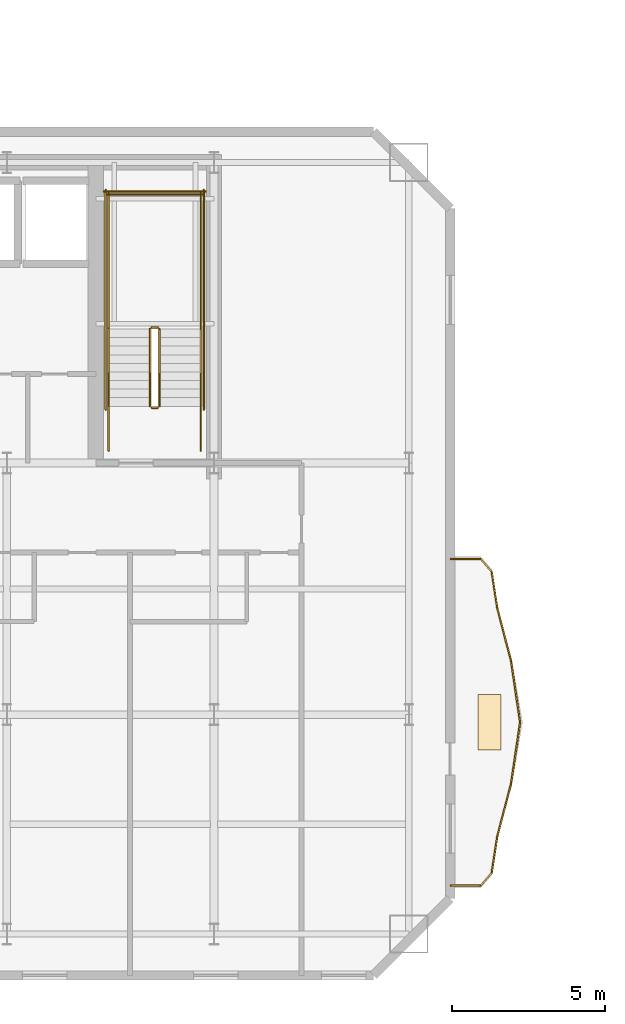
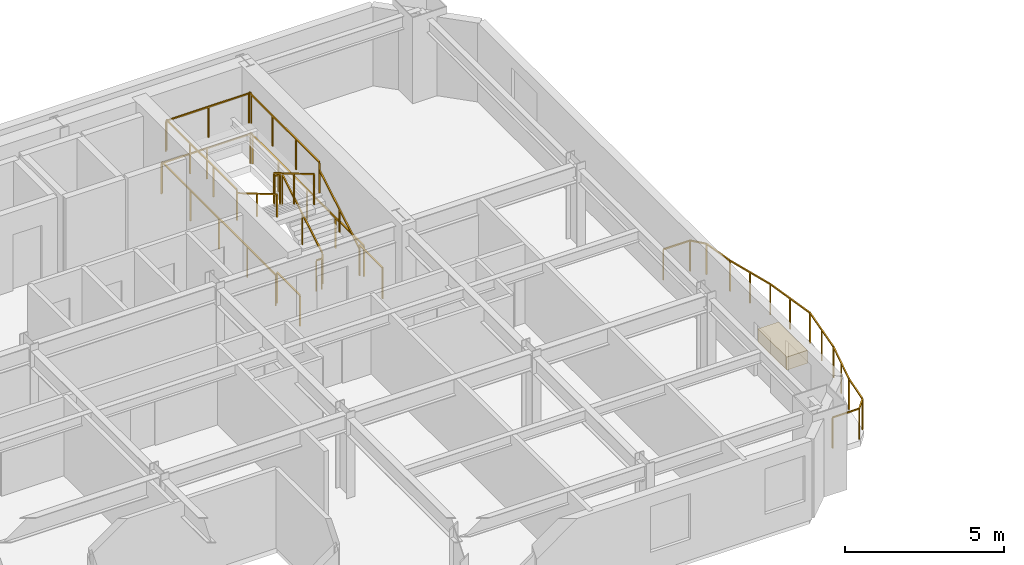
# One storey, part 11 of 13: 24 railings, 1 covering.
"""IFC4 building model written with IfcOpenShell, lengths in metres."""

import ifcopenshell
import ifcopenshell.guid

model = None  # the IFC model being written
_history = None  # IfcOwnerHistory: only IFC2X3 demands one
_inside = {}  # id of a spatial element -> (the spatial element, [elements in it])
_under = {}  # id of a project, library or spatial element -> (it, [spatial elements below it])
_declared = {}  # id of a project -> (the project, [libraries it declares])
_typed = {}  # id of a type object -> (the type object, [elements of that type])
_made_of = {}  # id of a material, layer set ... -> (it, [elements and type objects made of it])


def new_model(schema):
    """Start an empty IFC model of exactly this schema.

    Asked for "IFC4X3", IfcOpenShell would pick the latest addendum, in which some entities
    have other attributes; the version numbers below select the first issue.
    IFC2X3 requires an IfcOwnerHistory on every rooted entity: one is made here for all.
    """
    global model, _history
    if schema == "IFC4X3":
        model = ifcopenshell.file(schema_version=(4, 3, 0, 0))
    else:
        model = ifcopenshell.file(schema=schema)
    _inside.clear()
    _under.clear()
    _declared.clear()
    _typed.clear()
    _made_of.clear()
    _history = None
    if model.schema == "IFC2X3":
        org = make("IfcOrganization", Name="unknown")
        user = make(
            "IfcPersonAndOrganization",
            ThePerson=make("IfcPerson", FamilyName="unknown"),
            TheOrganization=org,
        )
        app = make(
            "IfcApplication",
            ApplicationDeveloper=org,
            Version="unknown",
            ApplicationFullName="unknown",
            ApplicationIdentifier="unknown",
        )
        _history = make(
            "IfcOwnerHistory",
            OwningUser=user,
            OwningApplication=app,
            ChangeAction="ADDED",
            CreationDate=0,
        )
    return model


def make(cls, **values):
    """One entity of the class cls with the attributes given. An attribute that is None is left unset."""
    return model.create_entity(
        cls, **{name: value for name, value in values.items() if value is not None}
    )


def rooted(cls, **values):
    """An entity with a GlobalId (a new one), such as an element, a storey or a relation."""
    return make(cls, GlobalId=ifcopenshell.guid.new(), OwnerHistory=_history, **values)


def si_unit(unit_type, name, prefix=None):
    """IfcSIUnit, for example si_unit("LENGTHUNIT", "METRE", prefix="MILLI")."""
    return make("IfcSIUnit", UnitType=unit_type, Prefix=prefix, Name=name)


def assignment(units):
    """IfcUnitAssignment: the units of a project."""
    return None if units is None else make("IfcUnitAssignment", Units=units)


def point(xyz):
    """IfcCartesianPoint."""
    return None if xyz is None else make("IfcCartesianPoint", Coordinates=xyz)


def direction(xyz):
    """IfcDirection."""
    return None if xyz is None else make("IfcDirection", DirectionRatios=xyz)


def frame(location, z_axis=None, x_axis=None):
    """IfcAxis2Placement3D, a coordinate frame: its origin and axes. An axis left out is left unset."""
    return make(
        "IfcAxis2Placement3D",
        Location=point(location),
        Axis=direction(z_axis),
        RefDirection=direction(x_axis),
    )


def frame_2d(location, x_axis=None):
    """IfcAxis2Placement2D, a coordinate frame in the plane: its origin and x axis."""
    return make(
        "IfcAxis2Placement2D", Location=point(location), RefDirection=direction(x_axis)
    )


def origin():
    """The frame at (0, 0, 0) with its axes left unset."""
    return frame((0.0, 0.0, 0.0))


def origin_2d():
    """The frame at (0, 0) in the plane with its x axis left unset."""
    return frame_2d((0.0, 0.0))


def place(relative_to, where):
    """IfcLocalPlacement: puts the frame where relative to a parent placement (None: the world)."""
    return make(
        "IfcLocalPlacement", PlacementRelTo=relative_to, RelativePlacement=where
    )


def context(
    kind, dimensions, precision=None, world=None, true_north=None, identifier=None
):
    """IfcGeometricRepresentationContext, for example the 3D "Model" context."""
    return make(
        "IfcGeometricRepresentationContext",
        ContextIdentifier=identifier,
        ContextType=kind,
        CoordinateSpaceDimension=dimensions,
        Precision=precision,
        WorldCoordinateSystem=world,
        TrueNorth=true_north,
    )


def subcontext(parent, identifier, kind, view, scale=None):
    """IfcGeometricRepresentationSubContext, for example "Body" below "Model"."""
    return make(
        "IfcGeometricRepresentationSubContext",
        ContextIdentifier=identifier,
        ContextType=kind,
        ParentContext=parent,
        TargetScale=scale,
        TargetView=view,
    )


def project(units=None, contexts=None):
    """IfcProject with its units and contexts."""
    return rooted(
        "IfcProject",
        Name="project",
        RepresentationContexts=contexts,
        UnitsInContext=assignment(units),
    )


def spatial(cls, under=None, at=None, **own):
    """A site, building, storey or space (cls), placed at a placement, below another one or the project."""
    s = rooted(cls, ObjectPlacement=at, **own)
    if under is not None:
        _under.setdefault(under.id(), (under, []))[1].append(s)
    return s


def profile(cls, at=None, kind="AREA", **sizes):
    """A parametric profile (cls). Its sizes go by their IFC names, for example OverallWidth=200.0."""
    return make(cls, ProfileType=kind, Position=at, **sizes)


def rectangle(**sizes):
    """IfcRectangleProfileDef."""
    return profile("IfcRectangleProfileDef", **sizes)


def extrude(swept, where, along, depth):
    """IfcExtrudedAreaSolid: the profile swept, set in the frame where, extruded along a direction by depth."""
    return make(
        "IfcExtrudedAreaSolid",
        SweptArea=swept,
        Position=where,
        ExtrudedDirection=direction(along),
        Depth=depth,
    )


def shape(context_of_items, identifier, shape_type, items):
    """IfcShapeRepresentation: the items that make up one representation, for example the "Body"."""
    return make(
        "IfcShapeRepresentation",
        ContextOfItems=context_of_items,
        RepresentationIdentifier=identifier,
        RepresentationType=shape_type,
        Items=items,
    )


def material(Name=None, Category=None):
    """IfcMaterial."""
    return make("IfcMaterial", Name=Name, Category=Category)


def layer(
    of_material, thickness, ventilated=None, Name=None, Category=None, Priority=None
):
    """IfcMaterialLayer: one layer of a wall or slab, of a material (None: an air gap)."""
    return make(
        "IfcMaterialLayer",
        Material=of_material,
        LayerThickness=thickness,
        IsVentilated=ventilated,
        Name=Name,
        Category=Category,
        Priority=Priority,
    )


def layer_set(layers, Name=None):
    """IfcMaterialLayerSet."""
    return make("IfcMaterialLayerSet", MaterialLayers=layers, LayerSetName=Name)


def made_of(thing, what):
    """Note that an element or type object is made of a material, layer set ...; save() writes the relation."""
    if what is not None:
        _made_of.setdefault(what.id(), (what, []))[1].append(thing)
    return thing


def type_object(cls, material=None, **own):
    """A type object (cls), such as IfcWallType, which elements share."""
    return made_of(rooted(cls, **own), material)


def element(
    cls,
    number,
    at=None,
    inside=None,
    cuts=None,
    type_object=None,
    material=None,
    context=None,
    identifier="Body",
    shape_type=None,
    held_by="IfcProductDefinitionShape",
    body=None,
    shapes=None,
    **own,
):
    """One element of the class cls, such as IfcWall. Its Tag is "e" and its number.

    at: its placement. inside: the storey or other place that contains it. cuts: it is an
    opening in that element (IfcRelVoidsElement). A single representation is given by context,
    identifier, shape_type and body (its items); several are given by shapes. held_by: the class
    of the entity that holds the representations. save() writes the other relations.
    """
    e = rooted(cls, Tag="e%d" % number, ObjectPlacement=at, **own)
    if body is not None:
        shapes = [shape(context, identifier, shape_type, body)]
    if shapes is not None:
        e.Representation = make(held_by, Representations=shapes)
    if inside is not None:
        _inside.setdefault(inside.id(), (inside, []))[1].append(e)
    if cuts is not None:
        rooted(
            "IfcRelVoidsElement", RelatingBuildingElement=cuts, RelatedOpeningElement=e
        )
    if type_object is not None:
        _typed.setdefault(type_object.id(), (type_object, []))[1].append(e)
    return made_of(e, material)


def aggregate(whole, parts):
    """IfcRelAggregates: a whole, such as a stair, and the parts it consists of."""
    return rooted("IfcRelAggregates", RelatingObject=whole, RelatedObjects=parts)


def save(model, path):
    """Write the relations noted so far, then the file.

    IfcRelAggregates (storeys below a building ...), IfcRelContainedInSpatialStructure (elements
    in a storey), IfcRelDefinesByType, IfcRelAssociatesMaterial and IfcRelDeclares: one each for
    every whole, place, type object, material and project.
    """
    for whole, parts in _under.values():
        aggregate(whole, parts)
    for where, things in _inside.values():
        rooted(
            "IfcRelContainedInSpatialStructure",
            RelatedElements=things,
            RelatingStructure=where,
        )
    for kind, things in _typed.values():
        rooted("IfcRelDefinesByType", RelatedObjects=things, RelatingType=kind)
    for what, things in _made_of.values():
        rooted("IfcRelAssociatesMaterial", RelatedObjects=things, RelatingMaterial=what)
    for by, libraries in _declared.values():
        rooted("IfcRelDeclares", RelatingContext=by, RelatedDefinitions=libraries)
    model.write(path)


model = new_model("IFC4")

# Units and contexts
model_context = context("Model", 3, precision=1e-05, world=origin(), true_north=direction((0.0, 1.0)))
body_context = subcontext(model_context, "Body", "Model", "MODEL_VIEW")
ifc_project = project(units=[si_unit("LENGTHUNIT", "METRE"), si_unit("AREAUNIT", "SQUARE_METRE"), si_unit("VOLUMEUNIT", "CUBIC_METRE"), si_unit("PLANEANGLEUNIT", "RADIAN"), si_unit("MASSUNIT", "GRAM", prefix="KILO")], contexts=[model_context])

# Site, building, storey
site_placement = place(None, origin())
site = spatial("IfcSite", under=ifc_project, at=site_placement, CompositionType="ELEMENT")
building_placement = place(site_placement, origin())
building = spatial("IfcBuilding", under=site, at=building_placement, Name="Haevon Station Towers", CompositionType="ELEMENT")
storey_placement = place(building_placement, frame((0.0, 0.0, 142.800048828125)))
storey = spatial("IfcBuildingStorey", under=building, at=storey_placement, Name="L38", CompositionType="ELEMENT", Elevation=142.800048828125)

# Railings
ifc_material_1 = material(Name="Steel S355", Category="steel")
railing_type_1 = type_object("IfcRailingType", Name="GRD-EXT1200", PredefinedType="GUARDRAIL", material=ifc_material_1)
railing_1_placement = place(storey_placement, frame((58.723388671875, 24.427734375, 0.0)))
element("IfcRailing", 1, at=railing_1_placement, inside=storey, type_object=railing_type_1, Name="L38 Perimeter Guardrail 1", PredefinedType="GUARDRAIL", context=body_context, shape_type="SweptSolid", body=[
    extrude(rectangle(XDim=0.048095703125, YDim=0.048095703125, at=origin_2d()), frame((0.0, 0.0, 1.17578125), z_axis=(0.999997458604, 0.002254503288, 0.0), x_axis=(-0.002254503288, 0.999997458604, 0.0)), (0.0, 0.0, 1.0), 0.974609375),
    extrude(rectangle(XDim=0.0419921875, YDim=0.0419921875, at=origin_2d()), origin(), (0.0, 0.0, 1.0), 1.15185546875),
    extrude(rectangle(XDim=0.0419921875, YDim=0.0419921875, at=origin_2d()), frame((0.974609375, 0.002197265625, 0.0)), (0.0, 0.0, 1.0), 1.15185546875),
])
railing_2_placement = place(storey_placement, frame((59.697998046875, 24.429931640625, 0.0)))
element("IfcRailing", 2, at=railing_2_placement, inside=storey, type_object=railing_type_1, Name="L38 Perimeter Guardrail 2", PredefinedType="GUARDRAIL", context=body_context, shape_type="SweptSolid", body=[
    extrude(rectangle(XDim=0.048095703125, YDim=0.048095703125, at=origin_2d()), frame((0.0, 0.0, 1.17578125), z_axis=(0.652494424459, 0.757793524682, 0.0), x_axis=(-0.757793524682, 0.652494424459, 0.0)), (0.0, 0.0, 1.0), 0.54248046875),
    extrude(rectangle(XDim=0.0419921875, YDim=0.0419921875, at=origin_2d()), origin(), (0.0, 0.0, 1.0), 1.15185546875),
    extrude(rectangle(XDim=0.0419921875, YDim=0.0419921875, at=origin_2d()), frame((0.35400390625, 0.4111328125, 0.0)), (0.0, 0.0, 1.0), 1.15185546875),
])
railing_3_placement = place(storey_placement, frame((60.052001953125, 24.841064453125, 0.0)))
element("IfcRailing", 3, at=railing_3_placement, inside=storey, type_object=railing_type_1, Name="L38 Perimeter Guardrail 3", PredefinedType="GUARDRAIL", context=body_context, shape_type="SweptSolid", body=[
    extrude(rectangle(XDim=0.048095703125, YDim=0.048095703125, at=origin_2d()), frame((0.0, 0.0, 1.17578125), z_axis=(0.152351520167, 0.988326370337, 0.0), x_axis=(-0.988326370337, 0.152351520167, 0.0)), (0.0, 0.0, 1.0), 1.184326171875),
    extrude(rectangle(XDim=0.0419921875, YDim=0.0419921875, at=origin_2d()), origin(), (0.0, 0.0, 1.0), 1.15185546875),
    extrude(rectangle(XDim=0.0419921875, YDim=0.0419921875, at=origin_2d()), frame((0.180419921875, 1.17041015625, 0.0)), (0.0, 0.0, 1.0), 1.15185546875),
])
railing_4_placement = place(storey_placement, frame((60.232421875, 26.011474609375, 0.0)))
element("IfcRailing", 4, at=railing_4_placement, inside=storey, type_object=railing_type_1, Name="L38 Perimeter Guardrail 4", PredefinedType="GUARDRAIL", context=body_context, shape_type="SweptSolid", body=[
    extrude(rectangle(XDim=0.048095703125, YDim=0.048095703125, at=origin_2d()), frame((0.0, 0.0, 1.17578125), z_axis=(0.25111702381, 0.967956734752, 0.0), x_axis=(-0.967956734752, 0.25111702381, 0.0)), (0.0, 0.0, 1.0), 1.805419921875),
    extrude(rectangle(XDim=0.0419921875, YDim=0.0419921875, at=origin_2d()), origin(), (0.0, 0.0, 1.0), 1.15185546875),
    extrude(rectangle(XDim=0.0419921875, YDim=0.0419921875, at=origin_2d()), frame((0.2265625, 0.873779296875, 0.0)), (0.0, 0.0, 1.0), 1.15185546875),
    extrude(rectangle(XDim=0.0419921875, YDim=0.0419921875, at=origin_2d()), frame((0.453369140625, 1.74755859375, 0.0)), (0.0, 0.0, 1.0), 1.15185546875),
])
railing_5_placement = place(storey_placement, frame((60.685791015625, 27.759033203125, 0.0)))
element("IfcRailing", 5, at=railing_5_placement, inside=storey, type_object=railing_type_1, Name="L38 Perimeter Guardrail 5", PredefinedType="GUARDRAIL", context=body_context, shape_type="SweptSolid", body=[
    extrude(rectangle(XDim=0.048095703125, YDim=0.048095703125, at=origin_2d()), frame((0.0, 0.0, 1.17578125), z_axis=(0.14558130584, 0.989346290937, 0.0), x_axis=(-0.989346290937, 0.14558130584, 0.0)), (0.0, 0.0, 1.0), 2.012451171875),
    extrude(rectangle(XDim=0.0419921875, YDim=0.0419921875, at=origin_2d()), origin(), (0.0, 0.0, 1.0), 1.15185546875),
    extrude(rectangle(XDim=0.0419921875, YDim=0.0419921875, at=origin_2d()), frame((0.146484375, 0.99560546875, 0.0)), (0.0, 0.0, 1.0), 1.15185546875),
    extrude(rectangle(XDim=0.0419921875, YDim=0.0419921875, at=origin_2d()), frame((0.29296875, 1.990966796875, 0.0)), (0.0, 0.0, 1.0), 1.15185546875),
])
railing_6_placement = place(storey_placement, frame((60.978759765625, 29.75, 0.0)))
element("IfcRailing", 6, at=railing_6_placement, inside=storey, type_object=railing_type_1, Name="L38 Perimeter Guardrail 6", PredefinedType="GUARDRAIL", context=body_context, shape_type="SweptSolid", body=[
    extrude(rectangle(XDim=0.048095703125, YDim=0.048095703125, at=origin_2d()), frame((0.0, 0.0, 1.17578125), z_axis=(-0.14558130584, 0.989346290937, 0.0), x_axis=(-0.989346290937, -0.14558130584, 0.0)), (0.0, 0.0, 1.0), 2.012451171875),
    extrude(rectangle(XDim=0.0419921875, YDim=0.0419921875, at=origin_2d()), origin(), (0.0, 0.0, 1.0), 1.15185546875),
    extrude(rectangle(XDim=0.0419921875, YDim=0.0419921875, at=origin_2d()), frame((-0.146484375, 0.99560546875, 0.0)), (0.0, 0.0, 1.0), 1.15185546875),
    extrude(rectangle(XDim=0.0419921875, YDim=0.0419921875, at=origin_2d()), frame((-0.29296875, 1.990966796875, 0.0)), (0.0, 0.0, 1.0), 1.15185546875),
])
railing_7_placement = place(storey_placement, frame((60.685791015625, 31.740966796875, 0.0)))
element("IfcRailing", 7, at=railing_7_placement, inside=storey, type_object=railing_type_1, Name="L38 Perimeter Guardrail 7", PredefinedType="GUARDRAIL", context=body_context, shape_type="SweptSolid", body=[
    extrude(rectangle(XDim=0.048095703125, YDim=0.048095703125, at=origin_2d()), frame((0.0, 0.0, 1.17578125), z_axis=(-0.25111702381, 0.967956734752, 0.0), x_axis=(-0.967956734752, -0.25111702381, 0.0)), (0.0, 0.0, 1.0), 1.805419921875),
    extrude(rectangle(XDim=0.0419921875, YDim=0.0419921875, at=origin_2d()), origin(), (0.0, 0.0, 1.0), 1.15185546875),
    extrude(rectangle(XDim=0.0419921875, YDim=0.0419921875, at=origin_2d()), frame((-0.2265625, 0.873779296875, 0.0)), (0.0, 0.0, 1.0), 1.15185546875),
    extrude(rectangle(XDim=0.0419921875, YDim=0.0419921875, at=origin_2d()), frame((-0.453369140625, 1.74755859375, 0.0)), (0.0, 0.0, 1.0), 1.15185546875),
])
railing_8_placement = place(storey_placement, frame((60.232421875, 33.488525390625, 0.0)))
element("IfcRailing", 8, at=railing_8_placement, inside=storey, type_object=railing_type_1, Name="L38 Perimeter Guardrail 8", PredefinedType="GUARDRAIL", context=body_context, shape_type="SweptSolid", body=[
    extrude(rectangle(XDim=0.048095703125, YDim=0.048095703125, at=origin_2d()), frame((0.0, 0.0, 1.17578125), z_axis=(-0.152351520167, 0.988326370337, 0.0), x_axis=(-0.988326370337, -0.152351520167, 0.0)), (0.0, 0.0, 1.0), 1.184326171875),
    extrude(rectangle(XDim=0.0419921875, YDim=0.0419921875, at=origin_2d()), origin(), (0.0, 0.0, 1.0), 1.15185546875),
    extrude(rectangle(XDim=0.0419921875, YDim=0.0419921875, at=origin_2d()), frame((-0.180419921875, 1.17041015625, 0.0)), (0.0, 0.0, 1.0), 1.15185546875),
])
railing_9_placement = place(storey_placement, frame((60.052001953125, 34.658935546875, 0.0)))
element("IfcRailing", 9, at=railing_9_placement, inside=storey, type_object=railing_type_1, Name="L38 Perimeter Guardrail 9", PredefinedType="GUARDRAIL", context=body_context, shape_type="SweptSolid", body=[
    extrude(rectangle(XDim=0.048095703125, YDim=0.048095703125, at=origin_2d()), frame((0.0, 0.0, 1.17578125), z_axis=(-0.652494424459, 0.757793524682, 0.0), x_axis=(-0.757793524682, -0.652494424459, 0.0)), (0.0, 0.0, 1.0), 0.54248046875),
    extrude(rectangle(XDim=0.0419921875, YDim=0.0419921875, at=origin_2d()), origin(), (0.0, 0.0, 1.0), 1.15185546875),
    extrude(rectangle(XDim=0.0419921875, YDim=0.0419921875, at=origin_2d()), frame((-0.35400390625, 0.4111328125, 0.0)), (0.0, 0.0, 1.0), 1.15185546875),
])
railing_10_placement = place(storey_placement, frame((59.697998046875, 35.070068359375, 0.0)))
element("IfcRailing", 10, at=railing_10_placement, inside=storey, type_object=railing_type_1, Name="L38 Perimeter Guardrail 10", PredefinedType="GUARDRAIL", context=body_context, shape_type="SweptSolid", body=[
    extrude(rectangle(XDim=0.048095703125, YDim=0.048095703125, at=origin_2d()), frame((0.0, 0.0, 1.17578125), z_axis=(-0.999997458604, 0.002254503288, 0.0), x_axis=(-0.002254503288, -0.999997458604, 0.0)), (0.0, 0.0, 1.0), 0.974609375),
    extrude(rectangle(XDim=0.0419921875, YDim=0.0419921875, at=origin_2d()), origin(), (0.0, 0.0, 1.0), 1.15185546875),
    extrude(rectangle(XDim=0.0419921875, YDim=0.0419921875, at=origin_2d()), frame((-0.974609375, 0.002197265625, 0.0)), (0.0, 0.0, 1.0), 1.15185546875),
])
railing_type_2 = type_object("IfcRailingType", Name="GRD-STR1200", PredefinedType="GUARDRAIL", material=ifc_material_1)
railing_11_placement = place(storey_placement, frame((49.219970703125, 40.050048828125, 0.1650390625)))
element("IfcRailing", 11, at=railing_11_placement, inside=storey, type_object=railing_type_2, Name="L38 ST2 Stair Guard 1", PredefinedType="GUARDRAIL", context=body_context, shape_type="SweptSolid", body=[
    extrude(rectangle(XDim=0.048095703125, YDim=0.048095703125, at=origin_2d()), frame((0.0, 0.0, 1.17578125), z_axis=(0.0, 0.861560626758, 0.507654692109), x_axis=(-1.0, 0.0, 0.0)), (0.0, 0.0, 1.0), 2.925048828125),
    extrude(rectangle(XDim=0.0419921875, YDim=0.0419921875, at=origin_2d()), origin(), (0.0, 0.0, 1.0), 1.15185546875),
    extrude(rectangle(XDim=0.0419921875, YDim=0.0419921875, at=origin_2d()), frame((0.0, 1.260009765625, 0.742431640625)), (0.0, 0.0, 1.0), 1.15185546875),
    extrude(rectangle(XDim=0.0419921875, YDim=0.0419921875, at=origin_2d()), frame((0.0, 2.52001953125, 1.48486328125)), (0.0, 0.0, 1.0), 1.15185546875),
])
railing_12_placement = place(storey_placement, frame((49.169921875, 42.6201171875, 1.64990234375)))
element("IfcRailing", 12, at=railing_12_placement, inside=storey, type_object=railing_type_2, Name="L38 ST2 Stair Guard 2", PredefinedType="GUARDRAIL", context=body_context, shape_type="SweptSolid", body=[
    extrude(rectangle(XDim=0.048095703125, YDim=0.048095703125, at=origin_2d()), frame((0.0, 0.0, 1.17578125), z_axis=(-1.0, 0.0, 0.0), x_axis=(0.0, -1.0, 0.0)), (0.0, 0.0, 1.0), 0.199951171875),
    extrude(rectangle(XDim=0.0419921875, YDim=0.0419921875, at=origin_2d()), origin(), (0.0, 0.0, 1.0), 1.15185546875),
    extrude(rectangle(XDim=0.0419921875, YDim=0.0419921875, at=origin_2d()), frame((-0.199951171875, 0.0, 0.0)), (0.0, 0.0, 1.0), 1.15185546875),
])
for number, where, name in (
    (13, (50.570068359375, 42.570068359375, 1.64990234375), "L38 ST2 Stair Guard 3"),
    (14, (47.570068359375, 42.570068359375, 1.64990234375), "L38 ST2 Stair Guard 4"),
):
    element("IfcRailing", number, at=place(storey_placement, frame(where)), inside=storey, type_object=railing_type_2, Name=name, PredefinedType="GUARDRAIL", context=body_context, shape_type="SweptSolid", body=[
        extrude(rectangle(XDim=0.048095703125, YDim=0.048095703125, at=origin_2d()), frame((0.0, 0.0, 1.17578125), z_axis=(0.0, 1.0, 0.0), x_axis=(-1.0, 0.0, 0.0)), (0.0, 0.0, 1.0), 4.429931640625),
        extrude(rectangle(XDim=0.0419921875, YDim=0.0419921875, at=origin_2d()), origin(), (0.0, 0.0, 1.0), 1.15185546875),
        extrude(rectangle(XDim=0.0419921875, YDim=0.0419921875, at=origin_2d()), frame((0.0, 1.4765625, 0.0)), (0.0, 0.0, 1.0), 1.15185546875),
        extrude(rectangle(XDim=0.0419921875, YDim=0.0419921875, at=origin_2d()), frame((0.0, 2.953369140625, 0.0)), (0.0, 0.0, 1.0), 1.15185546875),
        extrude(rectangle(XDim=0.0419921875, YDim=0.0419921875, at=origin_2d()), frame((0.0, 4.429931640625, 0.0)), (0.0, 0.0, 1.0), 1.15185546875),
    ])
railing_13_placement = place(storey_placement, frame((50.6201171875, 46.949951171875, 1.64990234375)))
element("IfcRailing", 15, at=railing_13_placement, inside=storey, type_object=railing_type_2, Name="L38 ST2 Stair Guard 5", PredefinedType="GUARDRAIL", context=body_context, shape_type="SweptSolid", body=[
    extrude(rectangle(XDim=0.048095703125, YDim=0.048095703125, at=origin_2d()), frame((0.0, 0.0, 1.17578125), z_axis=(-1.0, 0.0, 0.0), x_axis=(0.0, -1.0, 0.0)), (0.0, 0.0, 1.0), 3.10009765625),
    extrude(rectangle(XDim=0.0419921875, YDim=0.0419921875, at=origin_2d()), origin(), (0.0, 0.0, 1.0), 1.15185546875),
    extrude(rectangle(XDim=0.0419921875, YDim=0.0419921875, at=origin_2d()), frame((-1.550048828125, 0.0, 0.0)), (0.0, 0.0, 1.0), 1.15185546875),
    extrude(rectangle(XDim=0.0419921875, YDim=0.0419921875, at=origin_2d()), frame((-3.10009765625, 0.0, 0.0)), (0.0, 0.0, 1.0), 1.15185546875),
])
railing_14_placement = place(storey_placement, frame((48.919921875, 42.570068359375, 1.81494140625)))
element("IfcRailing", 16, at=railing_14_placement, inside=storey, type_object=railing_type_2, Name="L38 ST2 Stair Guard 6", PredefinedType="GUARDRAIL", context=body_context, shape_type="SweptSolid", body=[
    extrude(rectangle(XDim=0.048095703125, YDim=0.048095703125, at=origin_2d()), frame((0.0, 0.0, 1.17578125), z_axis=(0.0, -0.86152411907, 0.507716645641), x_axis=(1.0, 0.0, 0.0)), (0.0, 0.0, 1.0), 2.925048828125),
    extrude(rectangle(XDim=0.0419921875, YDim=0.0419921875, at=origin_2d()), origin(), (0.0, 0.0, 1.0), 1.15185546875),
    extrude(rectangle(XDim=0.0419921875, YDim=0.0419921875, at=origin_2d()), frame((0.0, -1.260009765625, 0.74267578125)), (0.0, 0.0, 1.0), 1.15185546875),
    extrude(rectangle(XDim=0.0419921875, YDim=0.0419921875, at=origin_2d()), frame((0.0, -2.52001953125, 1.485107421875)), (0.0, 0.0, 1.0), 1.15185546875),
])
railing_15_placement = place(storey_placement, frame((49.169921875, 40.0, 0.0)))
element("IfcRailing", 17, at=railing_15_placement, inside=storey, type_object=railing_type_2, Name="L38 ST2 Stair Guard 7", PredefinedType="GUARDRAIL", context=body_context, shape_type="SweptSolid", body=[
    extrude(rectangle(XDim=0.048095703125, YDim=0.048095703125, at=origin_2d()), frame((0.0, 0.0, 1.17578125), z_axis=(-1.0, 0.0, 0.0), x_axis=(0.0, -1.0, 0.0)), (0.0, 0.0, 1.0), 0.199951171875),
    extrude(rectangle(XDim=0.0419921875, YDim=0.0419921875, at=origin_2d()), origin(), (0.0, 0.0, 1.0), 1.15185546875),
    extrude(rectangle(XDim=0.0419921875, YDim=0.0419921875, at=origin_2d()), frame((-0.199951171875, 0.0, 0.0)), (0.0, 0.0, 1.0), 1.15185546875),
])
for number, where, name in (
    (18, (50.570068359375, 38.60009765625, 0.0), "L38 ST2 Stair Guard 8"),
    (19, (47.570068359375, 38.60009765625, 0.0), "L38 ST2 Stair Guard 9"),
):
    element("IfcRailing", number, at=place(storey_placement, frame(where)), inside=storey, type_object=railing_type_2, Name=name, PredefinedType="GUARDRAIL", context=body_context, shape_type="SweptSolid", body=[
        extrude(rectangle(XDim=0.048095703125, YDim=0.048095703125, at=origin_2d()), frame((0.0, 0.0, 1.17578125), z_axis=(0.0, 1.0, 0.0), x_axis=(-1.0, 0.0, 0.0)), (0.0, 0.0, 1.0), 1.449951171875),
        extrude(rectangle(XDim=0.0419921875, YDim=0.0419921875, at=origin_2d()), origin(), (0.0, 0.0, 1.0), 1.15185546875),
        extrude(rectangle(XDim=0.0419921875, YDim=0.0419921875, at=origin_2d()), frame((0.0, 1.449951171875, 0.0)), (0.0, 0.0, 1.0), 1.15185546875),
    ])
for number, where, name in (
    (20, (50.669921875, 39.949951171875, 0.0), "L38 ST2 Stair Guard 10"),
    (21, (47.469970703125, 39.949951171875, 0.0), "L38 ST2 Stair Guard 11"),
):
    element("IfcRailing", number, at=place(storey_placement, frame(where)), inside=storey, type_object=railing_type_2, Name=name, PredefinedType="GUARDRAIL", context=body_context, shape_type="SweptSolid", body=[
        extrude(rectangle(XDim=0.048095703125, YDim=0.048095703125, at=origin_2d()), frame((0.0, 0.0, 1.17578125), z_axis=(0.0, 1.0, 0.0), x_axis=(-1.0, 0.0, 0.0)), (0.0, 0.0, 1.0), 7.150146484375),
        extrude(rectangle(XDim=0.0419921875, YDim=0.0419921875, at=origin_2d()), origin(), (0.0, 0.0, 1.0), 1.15185546875),
        extrude(rectangle(XDim=0.0419921875, YDim=0.0419921875, at=origin_2d()), frame((0.0, 1.78759765625, 0.0)), (0.0, 0.0, 1.0), 1.15185546875),
        extrude(rectangle(XDim=0.0419921875, YDim=0.0419921875, at=origin_2d()), frame((0.0, 3.5751953125, 0.0)), (0.0, 0.0, 1.0), 1.15185546875),
        extrude(rectangle(XDim=0.0419921875, YDim=0.0419921875, at=origin_2d()), frame((0.0, 5.362548828125, 0.0)), (0.0, 0.0, 1.0), 1.15185546875),
        extrude(rectangle(XDim=0.0419921875, YDim=0.0419921875, at=origin_2d()), frame((0.0, 7.150146484375, 0.0)), (0.0, 0.0, 1.0), 1.15185546875),
    ])
railing_16_placement = place(storey_placement, frame((50.719970703125, 47.050048828125, 0.0)))
element("IfcRailing", 22, at=railing_16_placement, inside=storey, type_object=railing_type_2, Name="L38 ST2 Stair Guard 12", PredefinedType="GUARDRAIL", context=body_context, shape_type="SweptSolid", body=[
    extrude(rectangle(XDim=0.048095703125, YDim=0.048095703125, at=origin_2d()), frame((0.0, 0.0, 1.17578125), z_axis=(-1.0, 0.0, 0.0), x_axis=(0.0, -1.0, 0.0)), (0.0, 0.0, 1.0), 3.300048828125),
    extrude(rectangle(XDim=0.0419921875, YDim=0.0419921875, at=origin_2d()), origin(), (0.0, 0.0, 1.0), 1.15185546875),
    extrude(rectangle(XDim=0.0419921875, YDim=0.0419921875, at=origin_2d()), frame((-1.64990234375, 0.0, 0.0)), (0.0, 0.0, 1.0), 1.15185546875),
    extrude(rectangle(XDim=0.0419921875, YDim=0.0419921875, at=origin_2d()), frame((-3.300048828125, 0.0, 0.0)), (0.0, 0.0, 1.0), 1.15185546875),
])
railing_type_3 = type_object("IfcRailingType", Name="HND-STR900", PredefinedType="HANDRAIL", material=ifc_material_1)
railing_17_placement = place(storey_placement, frame((50.570068359375, 40.050048828125, 0.1650390625)))
element("IfcRailing", 23, at=railing_17_placement, inside=storey, type_object=railing_type_3, Name="L38 ST2 Stair Handrail 1", PredefinedType="HANDRAIL", context=body_context, shape_type="SweptSolid", body=[
    extrude(rectangle(XDim=0.048095703125, YDim=0.048095703125, at=origin_2d()), frame((0.0, 0.0, 0.8759765625), z_axis=(0.0, 0.861560626758, 0.507654692109), x_axis=(-1.0, 0.0, 0.0)), (0.0, 0.0, 1.0), 2.925048828125),
    extrude(rectangle(XDim=0.0419921875, YDim=0.0419921875, at=origin_2d()), origin(), (0.0, 0.0, 1.0), 0.851806640625),
    extrude(rectangle(XDim=0.0419921875, YDim=0.0419921875, at=origin_2d()), frame((0.0, 1.260009765625, 0.742431640625)), (0.0, 0.0, 1.0), 0.851806640625),
    extrude(rectangle(XDim=0.0419921875, YDim=0.0419921875, at=origin_2d()), frame((0.0, 2.52001953125, 1.48486328125)), (0.0, 0.0, 1.0), 0.851806640625),
])
railing_18_placement = place(storey_placement, frame((47.570068359375, 42.570068359375, 1.81494140625)))
element("IfcRailing", 24, at=railing_18_placement, inside=storey, type_object=railing_type_3, Name="L38 ST2 Stair Handrail 2", PredefinedType="HANDRAIL", context=body_context, shape_type="SweptSolid", body=[
    extrude(rectangle(XDim=0.048095703125, YDim=0.048095703125, at=origin_2d()), frame((0.0, 0.0, 0.8759765625), z_axis=(0.0, -0.86152411907, 0.507716645641), x_axis=(1.0, 0.0, 0.0)), (0.0, 0.0, 1.0), 2.925048828125),
    extrude(rectangle(XDim=0.0419921875, YDim=0.0419921875, at=origin_2d()), origin(), (0.0, 0.0, 1.0), 0.851806640625),
    extrude(rectangle(XDim=0.0419921875, YDim=0.0419921875, at=origin_2d()), frame((0.0, -1.260009765625, 0.74267578125)), (0.0, 0.0, 1.0), 0.851806640625),
    extrude(rectangle(XDim=0.0419921875, YDim=0.0419921875, at=origin_2d()), frame((0.0, -2.52001953125, 1.485107421875)), (0.0, 0.0, 1.0), 0.851806640625),
])

# Covering
ifc_material_2 = material(Name="Architectural planter GRC", Category="concrete")
ifc_layer = layer(ifc_material_2, 0.550048828125)
ifc_layer_set = layer_set([ifc_layer], Name="Architectural planter GRC")
covering_type = type_object("IfcCoveringType", Name="PLN-GRC550", PredefinedType="MOLDING", material=ifc_layer_set)
covering_placement = place(storey_placement, frame((59.987548828125, 29.75, 0.0), z_axis=(0.0, 0.0, 1.0), x_axis=(1.0, 0.0, 0.0)))
element("IfcCovering", 25, at=covering_placement, inside=storey, type_object=covering_type, Name="Tower 1 L38 Scalloped Balcony PLANTER", PredefinedType="MOLDING", context=body_context, shape_type="SweptSolid", body=[
    extrude(rectangle(XDim=0.75, YDim=1.800048828125, at=origin_2d()), origin(), (0.0, 0.0, 1.0), 0.5),
])

save(model, "model.ifc")
